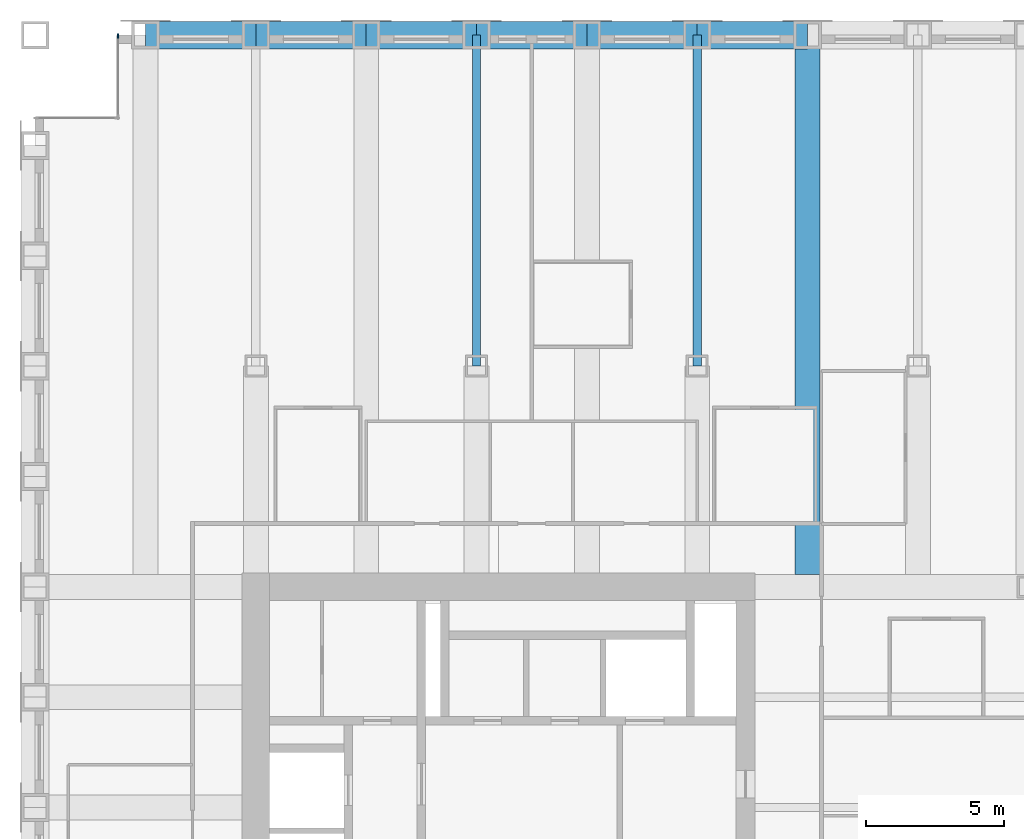
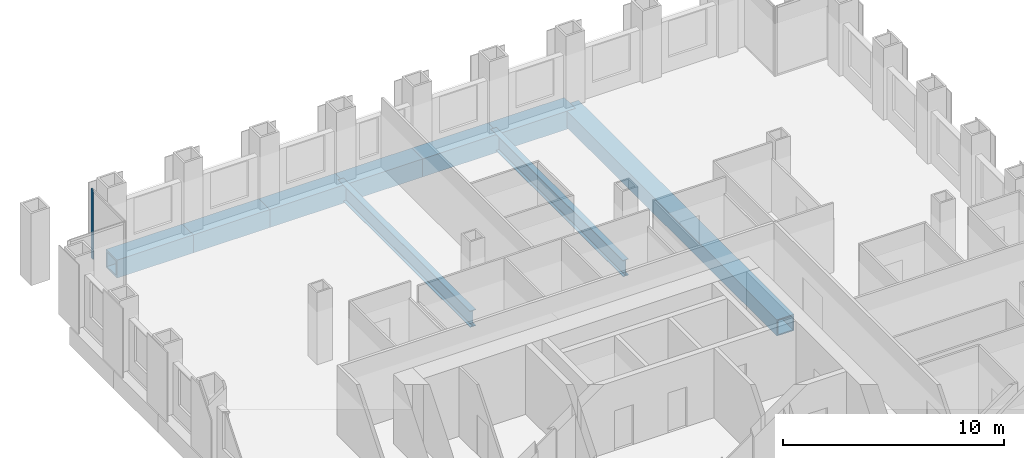
# One storey, part 6 of 14: 9 beams, 1 member, 1 element without a shape of its own.
"""IFC4 building model written with IfcOpenShell, lengths in metres."""

from ifc_helpers import new_model, si_unit, direction, frame, origin, origin_2d, place, context, subcontext, project, spatial, rectangle, hollow_rectangle, i_section, extrude, material, material_profile, profile_set, type_object, element, aggregate, save


model = new_model("IFC4")

# Units and contexts
model_context = context("Model", 3, precision=1e-05, world=origin(), true_north=direction((0.0, 1.0)))
body_context = subcontext(model_context, "Body", "Model", "MODEL_VIEW")
ifc_project = project(units=[si_unit("LENGTHUNIT", "METRE"), si_unit("AREAUNIT", "SQUARE_METRE"), si_unit("VOLUMEUNIT", "CUBIC_METRE"), si_unit("PLANEANGLEUNIT", "RADIAN"), si_unit("MASSUNIT", "GRAM", prefix="KILO")], contexts=[model_context])

# Site, building, storey
site_placement = place(None, origin())
site = spatial("IfcSite", under=ifc_project, at=site_placement, CompositionType="ELEMENT")
building_placement = place(site_placement, origin())
building = spatial("IfcBuilding", under=site, at=building_placement, Name="Rimbunsela Tower", CompositionType="ELEMENT")
storey_placement = place(building_placement, frame((0.0, 0.0, 230.199951171875)))
storey = spatial("IfcBuildingStorey", under=building, at=storey_placement, Name="L55", CompositionType="ELEMENT", Elevation=230.199951171875)

# Beams
ifc_material_1 = material(Name="Steel BJ 55 (fy 410 MPa)", Category="steel")
ifc_material_profile_1 = material_profile(ifc_material_1, hollow_rectangle(XDim=1.0, YDim=1.0, WallThickness=0.10009765625, at=origin_2d()), Name="BOX 1000x1000x100")
ifc_profile_set_1 = profile_set([ifc_material_profile_1], Name="Steel BJ 55 (fy 410 MPa)")
beam_type_1 = type_object("IfcBeamType", Name="Beam BOX 1000x1000x100", PredefinedType="BEAM", material=ifc_profile_set_1)
for number, where, z_axis, x_axis, name in (
    (1, (14.0, 56.0, -0.64990234375), (1.0, 0.0, 0.0), (0.0, 1.0, 0.0), "Beam B3 L55"),
    (2, (18.0, 56.0, -0.64990234375), (1.0, 0.0, 0.0), (0.0, 1.0, 0.0), "Beam B3 L55"),
    (3, (22.0, 56.0, -0.64990234375), (1.0, 0.0, 0.0), (0.0, 1.0, 0.0), "Beam B3 L55"),
    (4, (26.0, 56.0, -0.64990234375), (1.0, 0.0, 0.0), (0.0, 1.0, 0.0), "Beam B3 L55"),
    (5, (30.0, 56.0, -0.64990234375), (1.0, 0.0, 0.0), (0.0, 1.0, 0.0), "Beam B3 L55"),
    (6, (34.0, 56.0, -0.64990234375), (1.0, 0.0, 0.0), (0.0, 1.0, 0.0), "Beam B3 L55"),
):
    element("IfcBeam", number, at=place(storey_placement, frame(where, z_axis=z_axis, x_axis=x_axis)), inside=storey, type_object=beam_type_1, Name=name, PredefinedType="BEAM", context=body_context, shape_type="SweptSolid", body=[
        extrude(hollow_rectangle(XDim=1.0, YDim=1.0, WallThickness=0.10009765625, at=origin_2d()), origin(), (0.0, 0.0, 1.0), 4.0),
    ])
ifc_material_2 = material(Name="Steel BJ 55 (fy 410 MPa)", Category="steel")
ifc_material_profile_2 = material_profile(ifc_material_2, hollow_rectangle(XDim=0.89990234375, YDim=0.89990234375, WallThickness=0.06005859375, at=origin_2d()), Name="BOX 900x900x60")
ifc_profile_set_2 = profile_set([ifc_material_profile_2], Name="Steel BJ 55 (fy 410 MPa)")
beam_type_2 = type_object("IfcBeamType", Name="Beam BOX 900x900x60", PredefinedType="BEAM", material=ifc_profile_set_2)
beam_placement = place(storey_placement, frame((38.0, 36.449951171875, -0.599853515625), z_axis=(0.0, 1.0, 0.0), x_axis=(-1.0, 0.0, 0.0)))
element("IfcBeam", 7, at=beam_placement, inside=storey, type_object=beam_type_2, Name="Beam B1 L55", PredefinedType="BEAM", context=body_context, shape_type="SweptSolid", body=[
    extrude(hollow_rectangle(XDim=0.89990234375, YDim=0.89990234375, WallThickness=0.06005859375, at=origin_2d()), origin(), (0.0, 0.0, 1.0), 19.550048828125),
])
ifc_material_3 = material(Name="Steel BJ 55 (fy 410 MPa)", Category="steel")
ifc_material_profile_3 = material_profile(ifc_material_3, i_section(OverallWidth=0.300048828125, OverallDepth=0.89990234375, WebThickness=0.01611328125, FlangeThickness=0.028076171875, FilletRadius=0.028076171875, at=origin_2d()), Name="H 900x300x16x28")
ifc_profile_set_3 = profile_set([ifc_material_profile_3], Name="Steel BJ 55 (fy 410 MPa)")
beam_type_3 = type_object("IfcBeamType", Name="Beam H 900x300x16x28", PredefinedType="BEAM", material=ifc_profile_set_3)
for number, where, z_axis, x_axis, name in (
    (8, (26.0, 44.0, -0.599853515625), (0.0, 1.0, 0.0), (-1.0, 0.0, 0.0), "Beam B2 L55"),
    (9, (34.0, 44.0, -0.599853515625), (0.0, 1.0, 0.0), (-1.0, 0.0, 0.0), "Beam B2 L55"),
):
    element("IfcBeam", number, at=place(storey_placement, frame(where, z_axis=z_axis, x_axis=x_axis)), inside=storey, type_object=beam_type_3, Name=name, PredefinedType="BEAM", context=body_context, shape_type="SweptSolid", body=[
        extrude(i_section(OverallWidth=0.300048828125, OverallDepth=0.89990234375, WebThickness=0.01611328125, FlangeThickness=0.028076171875, FilletRadius=0.028076171875, at=origin_2d()), origin(), (0.0, 0.0, 1.0), 12.0),
    ])

# Curtain wall, member
ifc_material_4 = material(Name="Aluminium curtain wall", Category="aluminium")
curtain_wall_type = type_object("IfcCurtainWallType", Name="Corner glazing", PredefinedType="USERDEFINED", material=ifc_material_4)
curtain_wall_placement = place(storey_placement, origin())
curtain_wall = element("IfcCurtainWall", 10, at=curtain_wall_placement, inside=storey, type_object=curtain_wall_type, Name="Corner glazing L55", ObjectType="CORNER GLAZING", PredefinedType="USERDEFINED")
ifc_material_5 = material(Name="Aluminium mullion", Category="aluminium")
ifc_material_profile_4 = material_profile(ifc_material_5, rectangle(XDim=0.06005859375, YDim=0.159912109375, at=origin_2d()), Name="Mullion 60x160")
ifc_profile_set_4 = profile_set([ifc_material_profile_4], Name="Aluminium mullion")
member_type = type_object("IfcMemberType", Name="Curtain wall mullion 60x160", PredefinedType="MULLION", material=ifc_profile_set_4)
member_placement = place(storey_placement, frame((13.0, 55.969970703125, 0.0), z_axis=(0.0, 0.0, 1.0), x_axis=(1.0, 0.0, 0.0)))
member = element("IfcMember", 11, at=member_placement, type_object=member_type, Name="CW5 mullion 1", PredefinedType="MULLION", context=body_context, shape_type="SweptSolid", body=[
    extrude(rectangle(XDim=0.06005859375, YDim=0.159912109375, at=origin_2d()), origin(), (0.0, 0.0, 1.0), 3.85009765625),
])
aggregate(curtain_wall, [member])

save(model, "model.ifc")
